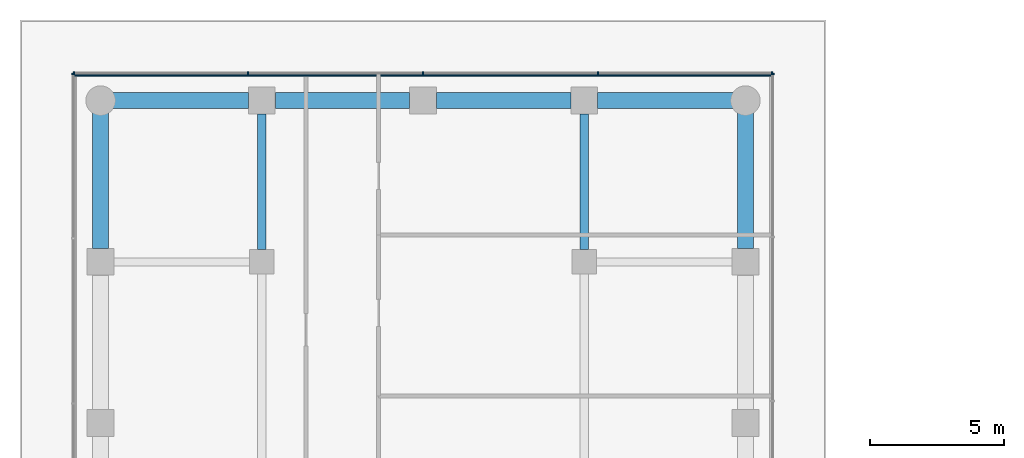
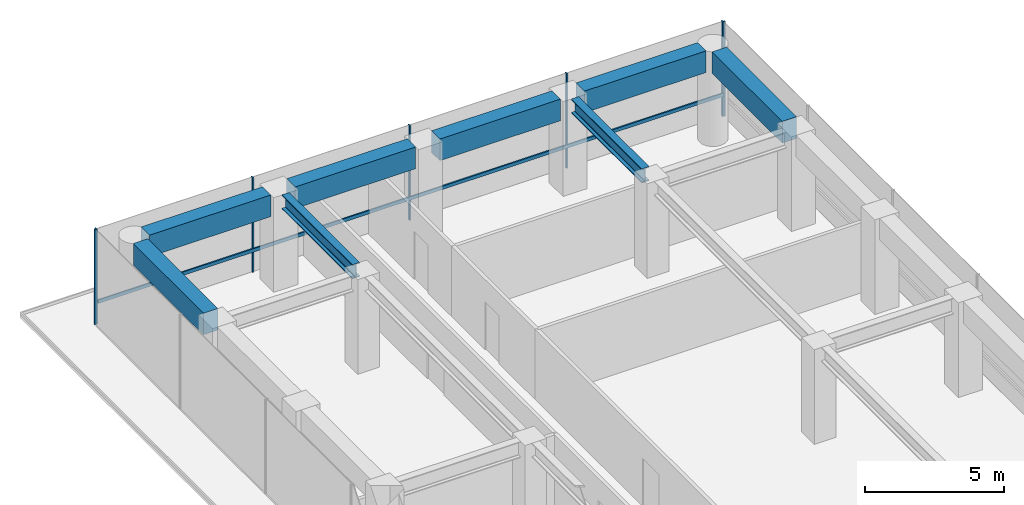
# One storey, part 19 of 24: 8 beams, 8 members, 3 elements without a shape of their own.
"""IFC4 building model written with IfcOpenShell, lengths in metres."""

from ifc_helpers import new_model, si_unit, direction, frame, origin, origin_2d, place, context, subcontext, project, spatial, rectangle, i_section, extrude, material, layer, layer_set, material_profile, profile_set, type_object, element, aggregate, save


model = new_model("IFC4")

# Units and contexts
model_context = context("Model", 3, precision=1e-05, world=origin(), true_north=direction((0.0, 1.0)))
body_context = subcontext(model_context, "Body", "Model", "MODEL_VIEW")
ifc_project = project(units=[si_unit("LENGTHUNIT", "METRE"), si_unit("AREAUNIT", "SQUARE_METRE"), si_unit("VOLUMEUNIT", "CUBIC_METRE"), si_unit("PLANEANGLEUNIT", "RADIAN"), si_unit("MASSUNIT", "GRAM", prefix="KILO")], contexts=[model_context])

# Site, building, storey
site_placement = place(None, origin())
site = spatial("IfcSite", under=ifc_project, at=site_placement, CompositionType="ELEMENT")
building_placement = place(site_placement, origin())
building = spatial("IfcBuilding", under=site, at=building_placement, Name="Welwitschia Terrace Campus", CompositionType="ELEMENT")
storey_placement = place(building_placement, frame((0.0, 0.0, 24.5)))
storey = spatial("IfcBuildingStorey", under=building, at=storey_placement, Name="L05", CompositionType="ELEMENT", Elevation=24.5)

# Beams
ifc_material_1 = material(Name="Steel S355", Category="steel")
ifc_material_profile_1 = material_profile(ifc_material_1, i_section(OverallWidth=0.304931640625, OverallDepth=0.6201171875, WebThickness=0.02099609375, FlangeThickness=0.0400390625, FilletRadius=0.027099609375, at=origin_2d()))
ifc_profile_set_1 = profile_set([ifc_material_profile_1], Name="Steel S355")
beam_type_1 = type_object("IfcBeamType", Name="Interior girder HE 600 M", PredefinedType="BEAM", material=ifc_profile_set_1)
for number, where, z_axis, x_axis, name in (
    (1, (6.0, 56.450439453125, 3.840087890625), (0.0, 1.0, 0.0), (-1.0, 0.0, 0.0), "Girder GB1"),
    (2, (18.0, 56.450439453125, 3.840087890625), (0.0, 1.0, 0.0), (-1.0, 0.0, 0.0), "Girder GB1"),
):
    element("IfcBeam", number, at=place(storey_placement, frame(where, z_axis=z_axis, x_axis=x_axis)), inside=storey, type_object=beam_type_1, Name=name, PredefinedType="BEAM", context=body_context, shape_type="SweptSolid", body=[
        extrude(i_section(OverallWidth=0.304931640625, OverallDepth=0.6201171875, WebThickness=0.02099609375, FlangeThickness=0.0400390625, FilletRadius=0.027099609375, at=origin_2d()), origin(), (0.0, 0.0, 1.0), 5.05908203125),
    ])

# Curtain wall, member
ifc_material_2 = material(Name="Bronze anodised aluminium", Category="aluminium")
ifc_layer = layer(ifc_material_2, 0.1201171875)
ifc_layer_set = layer_set([ifc_layer], Name="Bronze anodised aluminium")
curtain_wall_type = type_object("IfcCurtainWallType", Name="Curtain wall CW2 tower 6000", PredefinedType="NOTDEFINED", material=ifc_layer_set)
curtain_wall_1_placement = place(storey_placement, origin())
curtain_wall_1 = element("IfcCurtainWall", 3, at=curtain_wall_1_placement, inside=storey, type_object=curtain_wall_type, Name="CW L05.7.0", PredefinedType="NOTDEFINED")
ifc_material_3 = material(Name="Bronze anodised aluminium", Category="aluminium")
ifc_material_profile_2 = material_profile(ifc_material_3, rectangle(XDim=0.1201171875, YDim=0.06005859375, at=origin_2d()))
ifc_profile_set_2 = profile_set([ifc_material_profile_2], Name="Bronze anodised aluminium")
member_type_1 = type_object("IfcMemberType", Name="Mullion 60x120", PredefinedType="MULLION", material=ifc_profile_set_2)
member_1_placement = place(storey_placement, frame((25.02001953125, 62.989990234375, 0.0), z_axis=(0.0, 0.0, 1.0), x_axis=(-1.0, 0.0, 0.0)))
member_1 = element("IfcMember", 4, at=member_1_placement, type_object=member_type_1, Name="Mullion L05.7.0.6", PredefinedType="MULLION", context=body_context, shape_type="SweptSolid", body=[
    extrude(rectangle(XDim=0.1201171875, YDim=0.06005859375, at=origin_2d()), origin(), (0.0, 0.0, 1.0), 4.14990234375),
])
aggregate(curtain_wall_1, [member_1])

# Curtain wall, members
curtain_wall_2_placement = place(storey_placement, origin())
curtain_wall_2 = element("IfcCurtainWall", 5, at=curtain_wall_2_placement, inside=storey, type_object=curtain_wall_type, Name="CW L05.8.0", PredefinedType="NOTDEFINED")
member_2_placement = place(storey_placement, frame((24.989990234375, 63.02001953125, 0.0), z_axis=(0.0, 0.0, 1.0), x_axis=(0.0, -1.0, 0.0)))
member_2 = element("IfcMember", 6, at=member_2_placement, type_object=member_type_1, Name="Mullion L05.8.0.0", PredefinedType="MULLION", context=body_context, shape_type="SweptSolid", body=[
    extrude(rectangle(XDim=0.1201171875, YDim=0.06005859375, at=origin_2d()), origin(), (0.0, 0.0, 1.0), 4.14990234375),
])
member_3_placement = place(storey_placement, frame((18.510009765625, 63.02001953125, 0.0), z_axis=(0.0, 0.0, 1.0), x_axis=(0.0, -1.0, 0.0)))
member_3 = element("IfcMember", 7, at=member_3_placement, type_object=member_type_1, Name="Mullion L05.8.0.1", PredefinedType="MULLION", context=body_context, shape_type="SweptSolid", body=[
    extrude(rectangle(XDim=0.1201171875, YDim=0.06005859375, at=origin_2d()), origin(), (0.0, 0.0, 1.0), 4.14990234375),
])
member_4_placement = place(storey_placement, frame((12.0, 63.02001953125, 0.0), z_axis=(0.0, 0.0, 1.0), x_axis=(0.0, -1.0, 0.0)))
member_4 = element("IfcMember", 8, at=member_4_placement, type_object=member_type_1, Name="Mullion L05.8.0.2", PredefinedType="MULLION", context=body_context, shape_type="SweptSolid", body=[
    extrude(rectangle(XDim=0.1201171875, YDim=0.06005859375, at=origin_2d()), origin(), (0.0, 0.0, 1.0), 4.14990234375),
])
member_5_placement = place(storey_placement, frame((5.489990234375, 63.02001953125, 0.0), z_axis=(0.0, 0.0, 1.0), x_axis=(0.0, -1.0, 0.0)))
member_5 = element("IfcMember", 9, at=member_5_placement, type_object=member_type_1, Name="Mullion L05.8.0.3", PredefinedType="MULLION", context=body_context, shape_type="SweptSolid", body=[
    extrude(rectangle(XDim=0.1201171875, YDim=0.06005859375, at=origin_2d()), origin(), (0.0, 0.0, 1.0), 4.14990234375),
])
member_6_placement = place(storey_placement, frame((-0.989990234375, 63.02001953125, 0.0), z_axis=(0.0, 0.0, 1.0), x_axis=(0.0, -1.0, 0.0)))
member_6 = element("IfcMember", 10, at=member_6_placement, type_object=member_type_1, Name="Mullion L05.8.0.4", PredefinedType="MULLION", context=body_context, shape_type="SweptSolid", body=[
    extrude(rectangle(XDim=0.1201171875, YDim=0.06005859375, at=origin_2d()), origin(), (0.0, 0.0, 1.0), 4.14990234375),
])

# Curtain wall, member
curtain_wall_3_placement = place(storey_placement, origin())
curtain_wall_3 = element("IfcCurtainWall", 11, at=curtain_wall_3_placement, inside=storey, type_object=curtain_wall_type, Name="CW L05.9.0", PredefinedType="NOTDEFINED")
member_7_placement = place(storey_placement, frame((-1.02001953125, 62.989990234375, 0.0), z_axis=(0.0, 0.0, 1.0), x_axis=(1.0, 0.0, 0.0)))
member_7 = element("IfcMember", 12, at=member_7_placement, type_object=member_type_1, Name="Mullion L05.9.0.0", PredefinedType="MULLION", context=body_context, shape_type="SweptSolid", body=[
    extrude(rectangle(XDim=0.1201171875, YDim=0.06005859375, at=origin_2d()), origin(), (0.0, 0.0, 1.0), 4.14990234375),
])
aggregate(curtain_wall_3, [member_7])

# Beams
ifc_material_4 = material(Name="Concrete C60/75", Category="concrete")
ifc_material_profile_3 = material_profile(ifc_material_4, rectangle(XDim=0.60009765625, YDim=0.949951171875, at=origin_2d()))
ifc_profile_set_3 = profile_set([ifc_material_profile_3], Name="Concrete C60/75")
beam_type_2 = type_object("IfcBeamType", Name="Ring spandrel 600x950", PredefinedType="SPANDREL", material=ifc_profile_set_3)
for number, where, z_axis, x_axis, name in (
    (13, (24.0, 56.50048828125, 3.675048828125), (0.0, 1.0, 0.0), (-1.0, 0.0, 0.0), "Spandrel SP1"),
    (14, (23.53857421875, 62.0, 3.675048828125), (-1.0, 0.0, 0.0), (0.0, -1.0, 0.0), "Spandrel SP1"),
):
    element("IfcBeam", number, at=place(storey_placement, frame(where, z_axis=z_axis, x_axis=x_axis)), inside=storey, type_object=beam_type_2, Name=name, PredefinedType="SPANDREL", context=body_context, shape_type="SweptSolid", body=[
        extrude(rectangle(XDim=0.60009765625, YDim=0.949951171875, at=origin_2d()), origin(), (0.0, 0.0, 1.0), 5.0380859375),
    ])
for number, where, z_axis, x_axis, name in (
    (15, (17.49951171875, 62.0, 3.675048828125), (-1.0, 0.0, 0.0), (0.0, -1.0, 0.0), "Spandrel SP1"),
    (16, (11.49951171875, 62.0, 3.675048828125), (-1.0, 0.0, 0.0), (0.0, -1.0, 0.0), "Spandrel SP1"),
):
    element("IfcBeam", number, at=place(storey_placement, frame(where, z_axis=z_axis, x_axis=x_axis)), inside=storey, type_object=beam_type_2, Name=name, PredefinedType="SPANDREL", context=body_context, shape_type="SweptSolid", body=[
        extrude(rectangle(XDim=0.60009765625, YDim=0.949951171875, at=origin_2d()), origin(), (0.0, 0.0, 1.0), 4.9990234375),
    ])
for number, where, z_axis, x_axis, name in (
    (17, (5.49951171875, 62.0, 3.675048828125), (-1.0, 0.0, 0.0), (0.0, -1.0, 0.0), "Spandrel SP1"),
    (18, (0.0, 61.53857421875, 3.675048828125), (0.0, -1.0, 0.0), (1.0, 0.0, 0.0), "Spandrel SP1"),
):
    element("IfcBeam", number, at=place(storey_placement, frame(where, z_axis=z_axis, x_axis=x_axis)), inside=storey, type_object=beam_type_2, Name=name, PredefinedType="SPANDREL", context=body_context, shape_type="SweptSolid", body=[
        extrude(rectangle(XDim=0.60009765625, YDim=0.949951171875, at=origin_2d()), origin(), (0.0, 0.0, 1.0), 5.0380859375),
    ])

# Member
ifc_material_5 = material(Name="Bronze anodised aluminium", Category="aluminium")
ifc_material_profile_4 = material_profile(ifc_material_5, rectangle(XDim=0.06005859375, YDim=0.14990234375, at=origin_2d()))
ifc_profile_set_4 = profile_set([ifc_material_profile_4], Name="Bronze anodised aluminium")
member_type_2 = type_object("IfcMemberType", Name="Transom 60x150", PredefinedType="USERDEFINED", material=ifc_profile_set_4)
member_8_placement = place(storey_placement, frame((24.9599609375, 62.929931640625, 1.0), z_axis=(-1.0, 0.0, 0.0), x_axis=(0.0, -1.0, 0.0)))
member_8 = element("IfcMember", 19, at=member_8_placement, type_object=member_type_2, Name="Transom L05.8.0", ObjectType="TRANSOM", PredefinedType="USERDEFINED", context=body_context, shape_type="SweptSolid", body=[
    extrude(rectangle(XDim=0.06005859375, YDim=0.14990234375, at=origin_2d()), origin(), (0.0, 0.0, 1.0), 25.919921875),
])

aggregate(curtain_wall_2, [member_2, member_3, member_4, member_5, member_6, member_8])

save(model, "model.ifc")
